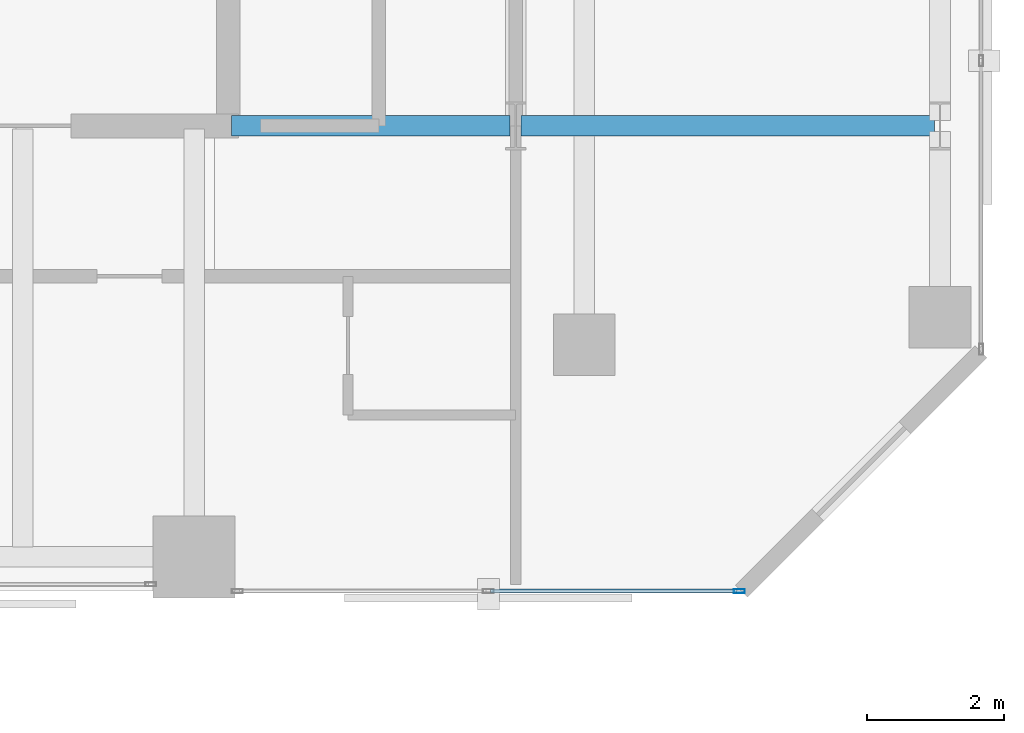
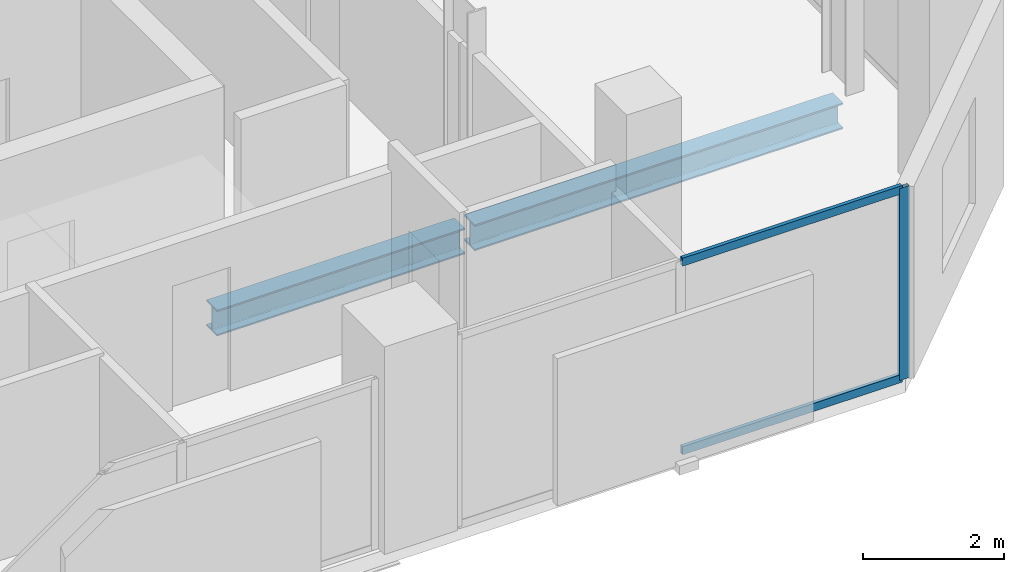
# One storey, part 15 of 33: 3 members, 2 beams, 1 element without a shape of its own.
"""IFC4 building model written with IfcOpenShell, lengths in metres."""

from ifc_helpers import new_model, si_unit, direction, frame, origin, origin_2d, place, context, subcontext, project, spatial, hollow_rectangle, i_section, extrude, material, layer, layer_set, material_profile, profile_set, type_object, element, aggregate, save


model = new_model("IFC4")

# Units and contexts
model_context = context("Model", 3, precision=1e-05, world=origin(), true_north=direction((0.0, 1.0)))
body_context = subcontext(model_context, "Body", "Model", "MODEL_VIEW")
ifc_project = project(units=[si_unit("LENGTHUNIT", "METRE"), si_unit("AREAUNIT", "SQUARE_METRE"), si_unit("VOLUMEUNIT", "CUBIC_METRE"), si_unit("PLANEANGLEUNIT", "RADIAN"), si_unit("MASSUNIT", "GRAM", prefix="KILO")], contexts=[model_context])

# Site, building, storey
site_placement = place(None, origin())
site = spatial("IfcSite", under=ifc_project, at=site_placement, CompositionType="ELEMENT")
building_placement = place(site_placement, origin())
building = spatial("IfcBuilding", under=site, at=building_placement, Name="Catumbela Crestline Tower", CompositionType="ELEMENT")
storey_placement = place(building_placement, frame((0.0, 0.0, 104.4)))
storey = spatial("IfcBuildingStorey", under=building, at=storey_placement, Name="L26", CompositionType="ELEMENT", Elevation=104.4)

# Beams
ifc_material_1 = material(Name="Structural steel S355J2", Category="steel")
ifc_material_profile_1 = material_profile(ifc_material_1, i_section(OverallWidth=0.3, OverallDepth=0.45, WebThickness=0.014, FlangeThickness=0.026, FilletRadius=0.027, at=origin_2d()), Name="HEB 450")
ifc_profile_set_1 = profile_set([ifc_material_profile_1], Name="Structural steel S355J2")
beam_type = type_object("IfcBeamType", Name="BG-HEB450", PredefinedType="BEAM", material=ifc_profile_set_1)
beam_1_placement = place(storey_placement, frame((40.05, 30.8, -0.485), z_axis=(1.0, 0.0, 0.0), x_axis=(0.0, 1.0, 0.0)))
element("IfcBeam", 1, at=beam_1_placement, inside=storey, type_object=beam_type, Name="L26 Beam BM-L26-M10", PredefinedType="BEAM", context=body_context, shape_type="SweptSolid", body=[
    extrude(i_section(OverallWidth=0.3, OverallDepth=0.45, WebThickness=0.014, FlangeThickness=0.026, FilletRadius=0.027, at=origin_2d()), origin(), (0.0, 0.0, 1.0), 4.07),
])
beam_2_placement = place(storey_placement, frame((44.28, 30.8, -0.485), z_axis=(1.0, 0.0, 0.0), x_axis=(0.0, 1.0, 0.0)))
element("IfcBeam", 2, at=beam_2_placement, inside=storey, type_object=beam_type, Name="L26 Beam BM-L26-M11", PredefinedType="BEAM", context=body_context, shape_type="SweptSolid", body=[
    extrude(i_section(OverallWidth=0.3, OverallDepth=0.45, WebThickness=0.014, FlangeThickness=0.026, FilletRadius=0.027, at=origin_2d()), origin(), (0.0, 0.0, 1.0), 6.04),
])

# Curtain wall, members
ifc_material_2 = material(Name="Aluminium alloy AW-6060-T66", Category="aluminium")
ifc_layer = layer(ifc_material_2, 0.18, Name="Aluminium alloy AW-6060-T66")
ifc_layer_set = layer_set([ifc_layer], Name="Aluminium alloy AW-6060-T66")
curtain_wall_type = type_object("IfcCurtainWallType", Name="CWU-Z2", PredefinedType="USERDEFINED", material=ifc_layer_set)
curtain_wall_placement = place(storey_placement, origin())
curtain_wall = element("IfcCurtainWall", 3, at=curtain_wall_placement, inside=storey, type_object=curtain_wall_type, Name="L26 Unitised Curtain Wall CW-L26-E3S3", ObjectType="UNITISED", PredefinedType="USERDEFINED")
ifc_material_profile_2 = material_profile(ifc_material_2, hollow_rectangle(XDim=0.06, YDim=0.16, WallThickness=0.004, at=origin_2d()), Name="ALU 160x60x4")
ifc_profile_set_2 = profile_set([ifc_material_profile_2], Name="Aluminium alloy AW-6060-T66")
member_type_1 = type_object("IfcMemberType", Name="MUL-160X60", PredefinedType="MULLION", material=ifc_profile_set_2)
member_1_placement = place(storey_placement, frame((47.4675, 24.0, 0.0), z_axis=(0.0, 0.0, 1.0), x_axis=(0.0, 1.0, 0.0)))
member_1 = element("IfcMember", 4, at=member_1_placement, type_object=member_type_1, Name="CWU-Z2 mullion 3", PredefinedType="MULLION", context=body_context, shape_type="SweptSolid", body=[
    extrude(hollow_rectangle(XDim=0.06, YDim=0.16, WallThickness=0.004, at=origin_2d()), origin(), (0.0, 0.0, 1.0), 3.33),
])
ifc_material_profile_3 = material_profile(ifc_material_2, hollow_rectangle(XDim=0.06, YDim=0.14, WallThickness=0.004, at=origin_2d()), Name="ALU 140x60x4")
ifc_profile_set_3 = profile_set([ifc_material_profile_3], Name="Aluminium alloy AW-6060-T66")
member_type_2 = type_object("IfcMemberType", Name="TRN-140X60", PredefinedType="USERDEFINED", material=ifc_profile_set_3)
member_2_placement = place(storey_placement, frame((43.8325, 24.0, 0.03), z_axis=(1.0, 0.0, 0.0), x_axis=(0.0, 1.0, 0.0)))
member_2 = element("IfcMember", 5, at=member_2_placement, type_object=member_type_2, Name="CWU-Z2 transom 2.1", ObjectType="TRANSOM", PredefinedType="USERDEFINED", context=body_context, shape_type="SweptSolid", body=[
    extrude(hollow_rectangle(XDim=0.06, YDim=0.14, WallThickness=0.004, at=origin_2d()), origin(), (0.0, 0.0, 1.0), 3.6025),
])
member_3_placement = place(storey_placement, frame((43.8325, 24.0, 3.3), z_axis=(1.0, 0.0, 0.0), x_axis=(0.0, 1.0, 0.0)))
member_3 = element("IfcMember", 6, at=member_3_placement, type_object=member_type_2, Name="CWU-Z2 transom 2.2", ObjectType="TRANSOM", PredefinedType="USERDEFINED", context=body_context, shape_type="SweptSolid", body=[
    extrude(hollow_rectangle(XDim=0.06, YDim=0.14, WallThickness=0.004, at=origin_2d()), origin(), (0.0, 0.0, 1.0), 3.6025),
])
aggregate(curtain_wall, [member_1, member_2, member_3])

save(model, "model.ifc")
